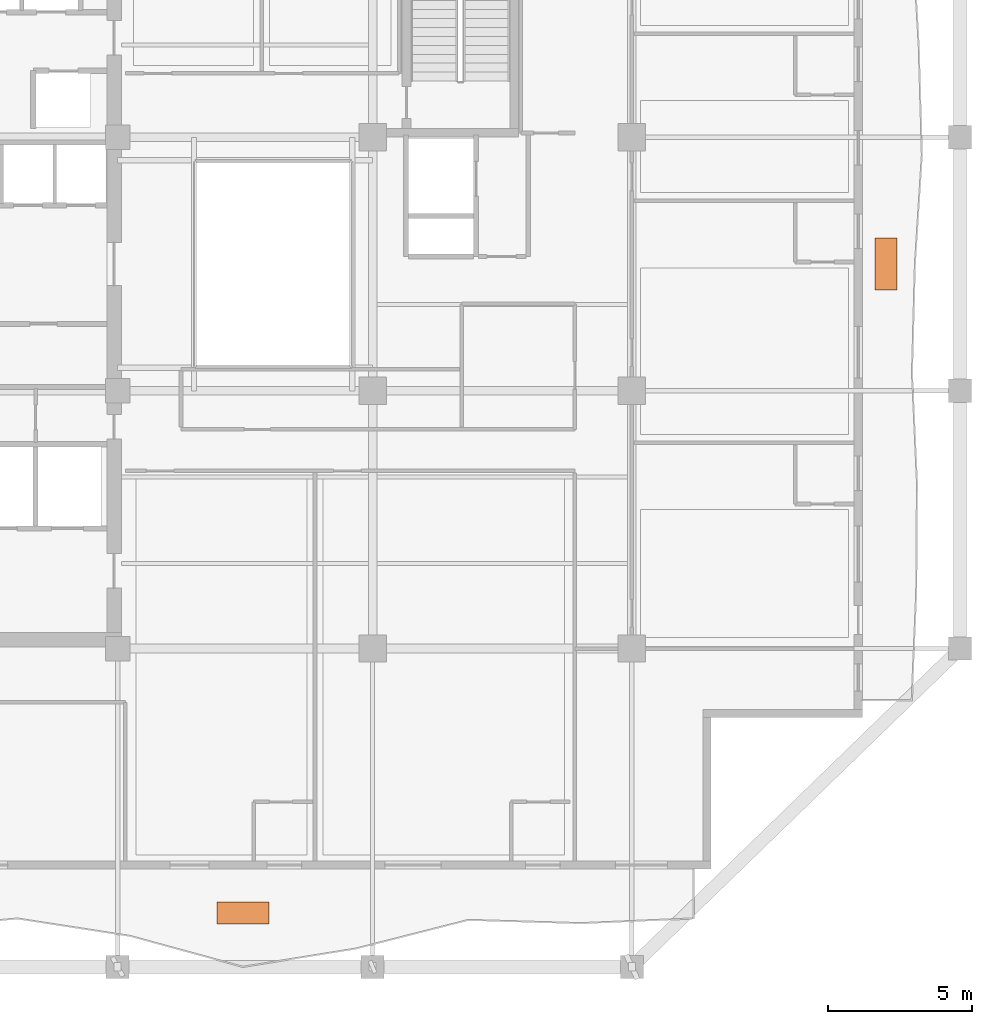
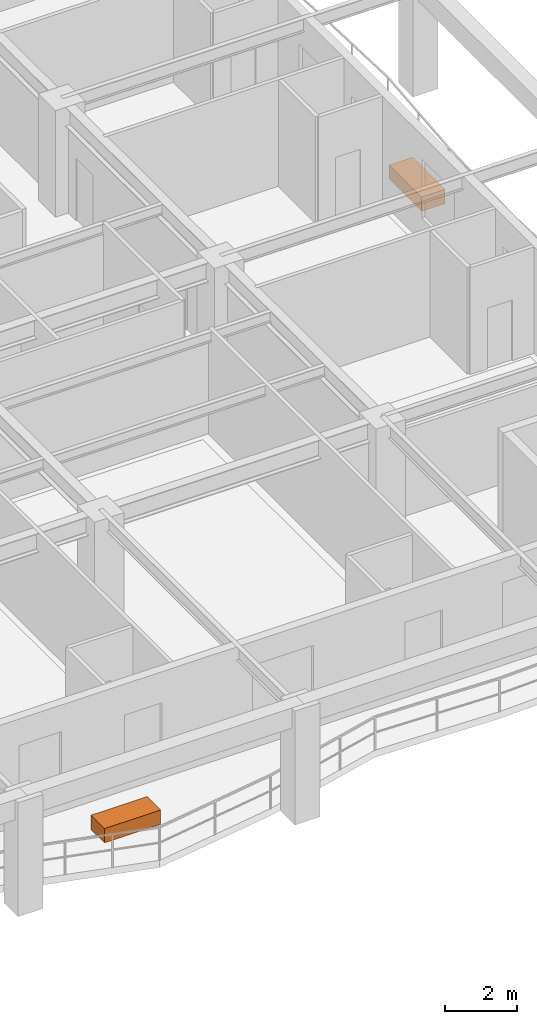
# One storey, part 13 of 13: 2 proxies.
"""IFC4 building model written with IfcOpenShell, lengths in metres."""

from ifc_helpers import new_model, si_unit, direction, frame, origin, origin_2d, place, context, subcontext, project, spatial, rectangle, extrude, material, type_object, element, save


model = new_model("IFC4")

# Units and contexts
model_context = context("Model", 3, precision=1e-05, world=origin(), true_north=direction((0.0, 1.0)))
body_context = subcontext(model_context, "Body", "Model", "MODEL_VIEW")
ifc_project = project(units=[si_unit("LENGTHUNIT", "METRE"), si_unit("AREAUNIT", "SQUARE_METRE"), si_unit("VOLUMEUNIT", "CUBIC_METRE"), si_unit("PLANEANGLEUNIT", "RADIAN"), si_unit("MASSUNIT", "GRAM", prefix="KILO")], contexts=[model_context])

# Site, building, storey
site_placement = place(None, origin())
site = spatial("IfcSite", under=ifc_project, at=site_placement, CompositionType="ELEMENT")
building_placement = place(site_placement, origin())
building = spatial("IfcBuilding", under=site, at=building_placement, Name="Kundavana Baori Tower", CompositionType="ELEMENT")
storey_placement = place(building_placement, frame((0.0, 0.0, 165.60009765625)))
storey = spatial("IfcBuildingStorey", under=building, at=storey_placement, Name="L40", CompositionType="ELEMENT", Elevation=165.60009765625)

# Proxies
ifc_material = material(Name="Red-Buff Dholpur Sandstone Cladding on Concrete C40/50", Category="masonry")
building_element_proxy_type = type_object("IfcBuildingElementProxyType", Name="PRX-PLANTER-1800", PredefinedType="USERDEFINED", material=ifc_material)
for number, where, z_axis, x_axis, name in (
    (1, (29.300048828125, 6.070068359375, 0.0), (0.0, 0.0, 1.0), (1.0, 0.0, 0.0), "L40 Dholpur Stone Structural Tree Planter S"),
    (2, (51.625, 28.60009765625, 0.0), (0.0, 0.0, 1.0), (0.0, 1.0, 0.0), "L40 Dholpur Stone Structural Tree Planter E"),
):
    element("IfcBuildingElementProxy", number, at=place(storey_placement, frame(where, z_axis=z_axis, x_axis=x_axis)), inside=storey, type_object=building_element_proxy_type, Name=name, ObjectType="PLANTER", PredefinedType="USERDEFINED", context=body_context, shape_type="SweptSolid", body=[
        extrude(rectangle(XDim=1.800048828125, YDim=0.75, at=origin_2d()), origin(), (0.0, 0.0, 1.0), 0.47998046875),
    ])

save(model, "model.ifc")
